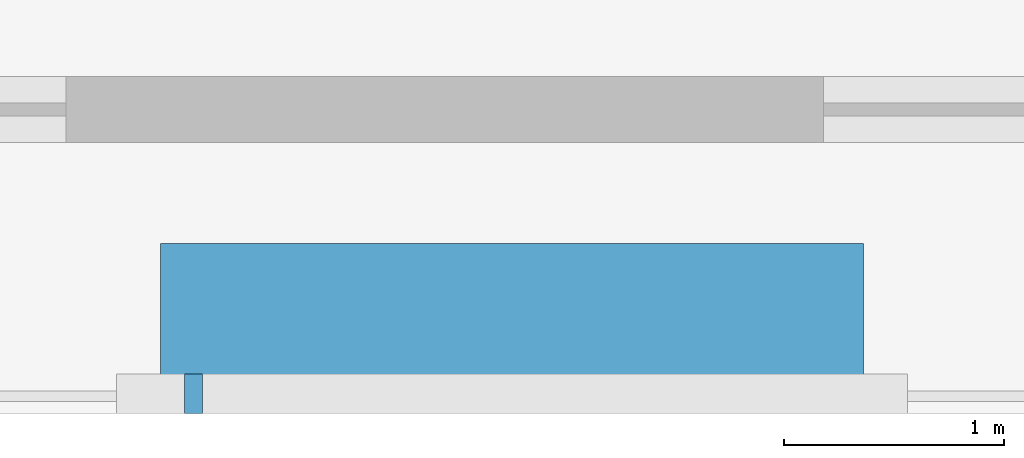
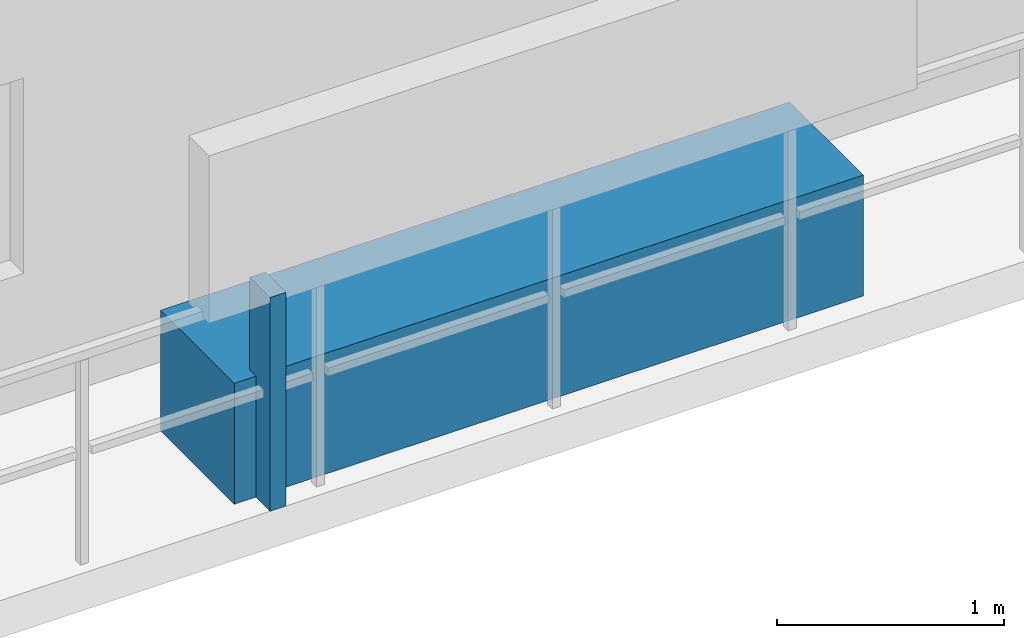
# One storey, part 30 of 36: 2 discrete accessories.
"""IFC4 building model written with IfcOpenShell, lengths in metres."""

import ifcopenshell
import ifcopenshell.guid

model = None  # the IFC model being written
_history = None  # IfcOwnerHistory: only IFC2X3 demands one
_inside = {}  # id of a spatial element -> (the spatial element, [elements in it])
_under = {}  # id of a project, library or spatial element -> (it, [spatial elements below it])
_declared = {}  # id of a project -> (the project, [libraries it declares])
_typed = {}  # id of a type object -> (the type object, [elements of that type])
_made_of = {}  # id of a material, layer set ... -> (it, [elements and type objects made of it])


def new_model(schema):
    """Start an empty IFC model of exactly this schema.

    Asked for "IFC4X3", IfcOpenShell would pick the latest addendum, in which some entities
    have other attributes; the version numbers below select the first issue.
    IFC2X3 requires an IfcOwnerHistory on every rooted entity: one is made here for all.
    """
    global model, _history
    if schema == "IFC4X3":
        model = ifcopenshell.file(schema_version=(4, 3, 0, 0))
    else:
        model = ifcopenshell.file(schema=schema)
    _inside.clear()
    _under.clear()
    _declared.clear()
    _typed.clear()
    _made_of.clear()
    _history = None
    if model.schema == "IFC2X3":
        org = make("IfcOrganization", Name="unknown")
        user = make(
            "IfcPersonAndOrganization",
            ThePerson=make("IfcPerson", FamilyName="unknown"),
            TheOrganization=org,
        )
        app = make(
            "IfcApplication",
            ApplicationDeveloper=org,
            Version="unknown",
            ApplicationFullName="unknown",
            ApplicationIdentifier="unknown",
        )
        _history = make(
            "IfcOwnerHistory",
            OwningUser=user,
            OwningApplication=app,
            ChangeAction="ADDED",
            CreationDate=0,
        )
    return model


def make(cls, **values):
    """One entity of the class cls with the attributes given. An attribute that is None is left unset."""
    return model.create_entity(
        cls, **{name: value for name, value in values.items() if value is not None}
    )


def rooted(cls, **values):
    """An entity with a GlobalId (a new one), such as an element, a storey or a relation."""
    return make(cls, GlobalId=ifcopenshell.guid.new(), OwnerHistory=_history, **values)


def si_unit(unit_type, name, prefix=None):
    """IfcSIUnit, for example si_unit("LENGTHUNIT", "METRE", prefix="MILLI")."""
    return make("IfcSIUnit", UnitType=unit_type, Prefix=prefix, Name=name)


def assignment(units):
    """IfcUnitAssignment: the units of a project."""
    return None if units is None else make("IfcUnitAssignment", Units=units)


def point(xyz):
    """IfcCartesianPoint."""
    return None if xyz is None else make("IfcCartesianPoint", Coordinates=xyz)


def direction(xyz):
    """IfcDirection."""
    return None if xyz is None else make("IfcDirection", DirectionRatios=xyz)


def frame(location, z_axis=None, x_axis=None):
    """IfcAxis2Placement3D, a coordinate frame: its origin and axes. An axis left out is left unset."""
    return make(
        "IfcAxis2Placement3D",
        Location=point(location),
        Axis=direction(z_axis),
        RefDirection=direction(x_axis),
    )


def frame_2d(location, x_axis=None):
    """IfcAxis2Placement2D, a coordinate frame in the plane: its origin and x axis."""
    return make(
        "IfcAxis2Placement2D", Location=point(location), RefDirection=direction(x_axis)
    )


def origin():
    """The frame at (0, 0, 0) with its axes left unset."""
    return frame((0.0, 0.0, 0.0))


def origin_2d():
    """The frame at (0, 0) in the plane with its x axis left unset."""
    return frame_2d((0.0, 0.0))


def place(relative_to, where):
    """IfcLocalPlacement: puts the frame where relative to a parent placement (None: the world)."""
    return make(
        "IfcLocalPlacement", PlacementRelTo=relative_to, RelativePlacement=where
    )


def context(
    kind, dimensions, precision=None, world=None, true_north=None, identifier=None
):
    """IfcGeometricRepresentationContext, for example the 3D "Model" context."""
    return make(
        "IfcGeometricRepresentationContext",
        ContextIdentifier=identifier,
        ContextType=kind,
        CoordinateSpaceDimension=dimensions,
        Precision=precision,
        WorldCoordinateSystem=world,
        TrueNorth=true_north,
    )


def subcontext(parent, identifier, kind, view, scale=None):
    """IfcGeometricRepresentationSubContext, for example "Body" below "Model"."""
    return make(
        "IfcGeometricRepresentationSubContext",
        ContextIdentifier=identifier,
        ContextType=kind,
        ParentContext=parent,
        TargetScale=scale,
        TargetView=view,
    )


def project(units=None, contexts=None):
    """IfcProject with its units and contexts."""
    return rooted(
        "IfcProject",
        Name="project",
        RepresentationContexts=contexts,
        UnitsInContext=assignment(units),
    )


def spatial(cls, under=None, at=None, **own):
    """A site, building, storey or space (cls), placed at a placement, below another one or the project."""
    s = rooted(cls, ObjectPlacement=at, **own)
    if under is not None:
        _under.setdefault(under.id(), (under, []))[1].append(s)
    return s


def profile(cls, at=None, kind="AREA", **sizes):
    """A parametric profile (cls). Its sizes go by their IFC names, for example OverallWidth=200.0."""
    return make(cls, ProfileType=kind, Position=at, **sizes)


def rectangle(**sizes):
    """IfcRectangleProfileDef."""
    return profile("IfcRectangleProfileDef", **sizes)


def extrude(swept, where, along, depth):
    """IfcExtrudedAreaSolid: the profile swept, set in the frame where, extruded along a direction by depth."""
    return make(
        "IfcExtrudedAreaSolid",
        SweptArea=swept,
        Position=where,
        ExtrudedDirection=direction(along),
        Depth=depth,
    )


def shape(context_of_items, identifier, shape_type, items):
    """IfcShapeRepresentation: the items that make up one representation, for example the "Body"."""
    return make(
        "IfcShapeRepresentation",
        ContextOfItems=context_of_items,
        RepresentationIdentifier=identifier,
        RepresentationType=shape_type,
        Items=items,
    )


def material(Name=None, Category=None):
    """IfcMaterial."""
    return make("IfcMaterial", Name=Name, Category=Category)


def made_of(thing, what):
    """Note that an element or type object is made of a material, layer set ...; save() writes the relation."""
    if what is not None:
        _made_of.setdefault(what.id(), (what, []))[1].append(thing)
    return thing


def type_object(cls, material=None, **own):
    """A type object (cls), such as IfcWallType, which elements share."""
    return made_of(rooted(cls, **own), material)


def element(
    cls,
    number,
    at=None,
    inside=None,
    cuts=None,
    type_object=None,
    material=None,
    context=None,
    identifier="Body",
    shape_type=None,
    held_by="IfcProductDefinitionShape",
    body=None,
    shapes=None,
    **own,
):
    """One element of the class cls, such as IfcWall. Its Tag is "e" and its number.

    at: its placement. inside: the storey or other place that contains it. cuts: it is an
    opening in that element (IfcRelVoidsElement). A single representation is given by context,
    identifier, shape_type and body (its items); several are given by shapes. held_by: the class
    of the entity that holds the representations. save() writes the other relations.
    """
    e = rooted(cls, Tag="e%d" % number, ObjectPlacement=at, **own)
    if body is not None:
        shapes = [shape(context, identifier, shape_type, body)]
    if shapes is not None:
        e.Representation = make(held_by, Representations=shapes)
    if inside is not None:
        _inside.setdefault(inside.id(), (inside, []))[1].append(e)
    if cuts is not None:
        rooted(
            "IfcRelVoidsElement", RelatingBuildingElement=cuts, RelatedOpeningElement=e
        )
    if type_object is not None:
        _typed.setdefault(type_object.id(), (type_object, []))[1].append(e)
    return made_of(e, material)


def aggregate(whole, parts):
    """IfcRelAggregates: a whole, such as a stair, and the parts it consists of."""
    return rooted("IfcRelAggregates", RelatingObject=whole, RelatedObjects=parts)


def save(model, path):
    """Write the relations noted so far, then the file.

    IfcRelAggregates (storeys below a building ...), IfcRelContainedInSpatialStructure (elements
    in a storey), IfcRelDefinesByType, IfcRelAssociatesMaterial and IfcRelDeclares: one each for
    every whole, place, type object, material and project.
    """
    for whole, parts in _under.values():
        aggregate(whole, parts)
    for where, things in _inside.values():
        rooted(
            "IfcRelContainedInSpatialStructure",
            RelatedElements=things,
            RelatingStructure=where,
        )
    for kind, things in _typed.values():
        rooted("IfcRelDefinesByType", RelatedObjects=things, RelatingType=kind)
    for what, things in _made_of.values():
        rooted("IfcRelAssociatesMaterial", RelatedObjects=things, RelatingMaterial=what)
    for by, libraries in _declared.values():
        rooted("IfcRelDeclares", RelatingContext=by, RelatedDefinitions=libraries)
    model.write(path)


model = new_model("IFC4")

# Units and contexts
model_context = context("Model", 3, precision=1e-05, world=origin(), true_north=direction((0.0, 1.0)))
body_context = subcontext(model_context, "Body", "Model", "MODEL_VIEW")
ifc_project = project(units=[si_unit("LENGTHUNIT", "METRE"), si_unit("AREAUNIT", "SQUARE_METRE"), si_unit("VOLUMEUNIT", "CUBIC_METRE"), si_unit("PLANEANGLEUNIT", "RADIAN"), si_unit("MASSUNIT", "GRAM", prefix="KILO")], contexts=[model_context])

# Site, building, storey
site_placement = place(None, origin())
site = spatial("IfcSite", under=ifc_project, at=site_placement, CompositionType="ELEMENT")
building_placement = place(site_placement, origin())
building = spatial("IfcBuilding", under=site, at=building_placement, Name="Thornwick Lancets Civic Towers", CompositionType="ELEMENT")
storey_placement = place(building_placement, frame((0.0, 0.0, 68.10009765625)))
storey = spatial("IfcBuildingStorey", under=building, at=storey_placement, Name="L17", CompositionType="ELEMENT", Elevation=68.10009765625)

# Discrete accessories
ifc_material_1 = material(Name="Planted terracotta greenery planter", Category="masonry")
discrete_accessory_type_1 = type_object("IfcDiscreteAccessoryType", Name="ACC_PLANTER_BOX", PredefinedType="USERDEFINED", material=ifc_material_1)
discrete_accessory_1_placement = place(storey_placement, frame((25.5, 1.800048828125, 0.0), z_axis=(0.0, 0.0, 1.0), x_axis=(1.0, 0.0, 0.0)))
element("IfcDiscreteAccessory", 1, at=discrete_accessory_1_placement, inside=storey, type_object=discrete_accessory_type_1, Name="L17 Tower A Balcony Greenery Planter S", ObjectType="PLANTER", PredefinedType="USERDEFINED", context=body_context, shape_type="SweptSolid", body=[
    extrude(rectangle(XDim=3.199951171875, YDim=0.64990234375, at=origin_2d()), origin(), (0.0, 0.0, 1.0), 0.64990234375),
])
ifc_material_2 = material(Name="Stainless steel S355", Category="steel")
discrete_accessory_type_2 = type_object("IfcDiscreteAccessoryType", Name="ACC_SCREEN_BRACKET", PredefinedType="BRACKET", material=ifc_material_2)
discrete_accessory_2_placement = place(storey_placement, frame((24.050048828125, 1.43994140625, 0.0), z_axis=(0.0, 0.0, 1.0), x_axis=(1.0, 0.0, 0.0)))
element("IfcDiscreteAccessory", 2, at=discrete_accessory_2_placement, inside=storey, type_object=discrete_accessory_type_2, Name="L17 Tower A Balcony Screen Stanchion Bracket S-1", PredefinedType="BRACKET", context=body_context, shape_type="SweptSolid", body=[
    extrude(rectangle(XDim=0.080078125, YDim=0.179931640625, at=origin_2d()), origin(), (0.0, 0.0, 1.0), 1.14990234375),
])

save(model, "model.ifc")
